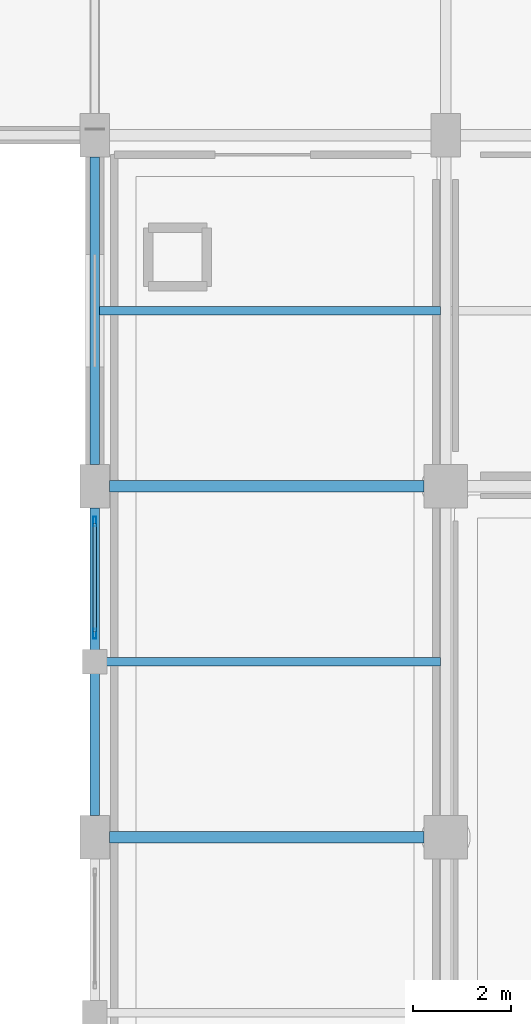
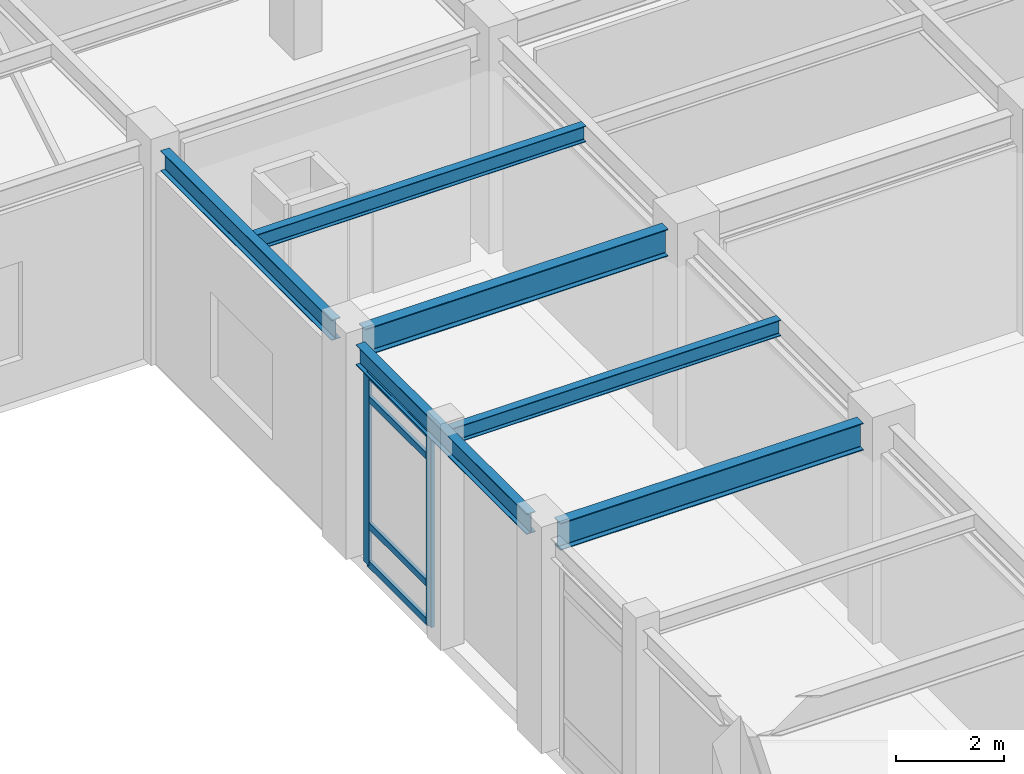
# One storey, part 23 of 117: 6 beams, 6 members, 1 element without a shape of its own.
"""IFC4 building model written with IfcOpenShell, lengths in metres."""

from ifc_helpers import new_model, si_unit, direction, frame, origin, origin_2d, place, context, subcontext, project, spatial, hollow_rectangle, i_section, extrude, material, layer, layer_set, material_profile, profile_set, type_object, element, aggregate, save


model = new_model("IFC4")

# Units and contexts
model_context = context("Model", 3, precision=1e-05, world=origin(), true_north=direction((0.0, 1.0)))
body_context = subcontext(model_context, "Body", "Model", "MODEL_VIEW")
ifc_project = project(units=[si_unit("LENGTHUNIT", "METRE"), si_unit("AREAUNIT", "SQUARE_METRE"), si_unit("VOLUMEUNIT", "CUBIC_METRE"), si_unit("PLANEANGLEUNIT", "RADIAN"), si_unit("MASSUNIT", "GRAM", prefix="KILO")], contexts=[model_context])

# Site, building, storey
site_placement = place(None, origin())
site = spatial("IfcSite", under=ifc_project, at=site_placement, CompositionType="ELEMENT")
building_placement = place(site_placement, origin())
building = spatial("IfcBuilding", under=site, at=building_placement, Name="Carrowvane Square Congress Hotel", CompositionType="ELEMENT")
storey_placement = place(building_placement, frame((0.0, 0.0, 5.39990234375)))
storey = spatial("IfcBuildingStorey", under=building, at=storey_placement, Name="L01", CompositionType="ELEMENT", Elevation=5.39990234375)

# Beams
ifc_material_1 = material(Name="Steel S355", Category="steel")
ifc_material_profile_1 = material_profile(ifc_material_1, i_section(OverallWidth=0.172119140625, OverallDepth=0.35791015625, WebThickness=0.008056640625, FlangeThickness=0.012939453125, FilletRadius=0.01025390625, at=origin_2d()), Name="UKB 356x171x57")
ifc_profile_set_1 = profile_set([ifc_material_profile_1], Name="Steel S355")
beam_type_1 = type_object("IfcBeamType", Name="BM-ST-UKB356", PredefinedType="JOIST", material=ifc_profile_set_1)
for number, where, z_axis, x_axis, name in (
    (1, (134.095703125, 45.0, 4.60107421875), (1.0, 0.0, 0.0), (0.0, 1.0, 0.0), "L02 secondary joist 18-19"),
    (2, (134.095703125, 52.199951171875, 4.60107421875), (1.0, 0.0, 0.0), (0.0, 1.0, 0.0), "L02 secondary joist 18-19"),
):
    element("IfcBeam", number, at=place(storey_placement, frame(where, z_axis=z_axis, x_axis=x_axis)), inside=storey, type_object=beam_type_1, Name=name, PredefinedType="JOIST", context=body_context, shape_type="SweptSolid", body=[
        extrude(i_section(OverallWidth=0.172119140625, OverallDepth=0.35791015625, WebThickness=0.008056640625, FlangeThickness=0.012939453125, FilletRadius=0.01025390625, at=origin_2d()), origin(), (0.0, 0.0, 1.0), 6.999267578125),
    ])
ifc_material_2 = material(Name="Steel S355", Category="steel")
ifc_material_profile_2 = material_profile(ifc_material_2, i_section(OverallWidth=0.19140625, OverallDepth=0.4599609375, WebThickness=0.010009765625, FlangeThickness=0.01611328125, FilletRadius=0.01025390625, at=origin_2d()), Name="UKB 457x191x82")
ifc_profile_set_2 = profile_set([ifc_material_profile_2], Name="Steel S355")
beam_type_2 = type_object("IfcBeamType", Name="BM-ST-UKB457", PredefinedType="SPANDREL", material=ifc_profile_set_2)
beam_1_placement = place(storey_placement, frame((134.0, 41.85009765625, 4.550048828125), z_axis=(0.0, 1.0, 0.0), x_axis=(-1.0, 0.0, 0.0)))
element("IfcBeam", 3, at=beam_1_placement, inside=storey, type_object=beam_type_2, Name="L02 girder 18/F-G", PredefinedType="SPANDREL", context=body_context, shape_type="SweptSolid", body=[
    extrude(i_section(OverallWidth=0.19140625, OverallDepth=0.4599609375, WebThickness=0.010009765625, FlangeThickness=0.01611328125, FilletRadius=0.01025390625, at=origin_2d()), origin(), (0.0, 0.0, 1.0), 6.2998046875),
])
beam_2_placement = place(storey_placement, frame((134.0, 49.050048828125, 4.550048828125), z_axis=(0.0, 1.0, 0.0), x_axis=(-1.0, 0.0, 0.0)))
element("IfcBeam", 4, at=beam_2_placement, inside=storey, type_object=beam_type_2, Name="L02 girder 18/G-H", PredefinedType="SPANDREL", context=body_context, shape_type="SweptSolid", body=[
    extrude(i_section(OverallWidth=0.19140625, OverallDepth=0.4599609375, WebThickness=0.010009765625, FlangeThickness=0.01611328125, FilletRadius=0.01025390625, at=origin_2d()), origin(), (0.0, 0.0, 1.0), 6.300048828125),
])
ifc_material_3 = material(Name="Steel S355", Category="steel")
ifc_material_profile_3 = material_profile(ifc_material_3, i_section(OverallWidth=0.22900390625, OverallDepth=0.6123046875, WebThickness=0.011962890625, FlangeThickness=0.01953125, FilletRadius=0.0126953125, at=origin_2d()), Name="UKB 610x229x125")
ifc_profile_set_3 = profile_set([ifc_material_profile_3], Name="Steel S355")
beam_type_3 = type_object("IfcBeamType", Name="BM-ST-UKB610A", PredefinedType="USERDEFINED", material=ifc_profile_set_3)
for number, where, z_axis, x_axis, name in (
    (5, (134.300048828125, 41.39990234375, 4.473876953125), (1.0, 0.0, 0.0), (0.0, 1.0, 0.0), "L02 girder F/18-19"),
    (6, (134.300048828125, 48.60009765625, 4.473876953125), (1.0, 0.0, 0.0), (0.0, 1.0, 0.0), "L02 girder G/18-19"),
):
    element("IfcBeam", number, at=place(storey_placement, frame(where, z_axis=z_axis, x_axis=x_axis)), inside=storey, type_object=beam_type_3, Name=name, ObjectType="GIRDER", PredefinedType="USERDEFINED", context=body_context, shape_type="SweptSolid", body=[
        extrude(i_section(OverallWidth=0.22900390625, OverallDepth=0.6123046875, WebThickness=0.011962890625, FlangeThickness=0.01953125, FilletRadius=0.0126953125, at=origin_2d()), origin(), (0.0, 0.0, 1.0), 6.449951171875),
    ])

# Curtain wall, members
ifc_material_4 = material(Name="Anodised aluminium", Category="aluminium")
ifc_layer = layer(ifc_material_4, 0.221923828125)
ifc_layer_set = layer_set([ifc_layer], Name="Anodised aluminium")
curtain_wall_type = type_object("IfcCurtainWallType", Name="CW-SYS-6", PredefinedType="NOTDEFINED", material=ifc_layer_set)
curtain_wall_placement = place(storey_placement, origin())
curtain_wall = element("IfcCurtainWall", 7, at=curtain_wall_placement, inside=storey, type_object=curtain_wall_type, Name="L01 unitised curtain wall 117", PredefinedType="NOTDEFINED")
ifc_material_5 = material(Name="Anodised aluminium", Category="aluminium")
ifc_material_profile_4 = material_profile(ifc_material_5, hollow_rectangle(XDim=0.070068359375, YDim=0.199951171875, WallThickness=0.0048828125, at=origin_2d()), Name="CW-ML 70x200x5")
ifc_profile_set_4 = profile_set([ifc_material_profile_4], Name="Anodised aluminium")
member_type_1 = type_object("IfcMemberType", Name="CW-MUL-2", PredefinedType="MULLION", material=ifc_profile_set_4)
member_1_placement = place(storey_placement, frame((134.0, 45.574951171875, 0.0), z_axis=(0.0, 0.0, 1.0), x_axis=(-1.0, 0.0, 0.0)))
member_1 = element("IfcMember", 8, at=member_1_placement, type_object=member_type_1, Name="CW-6 mullion 1", PredefinedType="MULLION", context=body_context, shape_type="SweptSolid", body=[
    extrude(hollow_rectangle(XDim=0.070068359375, YDim=0.199951171875, WallThickness=0.0048828125, at=origin_2d()), origin(), (0.0, 0.0, 1.0), 4.30517578125),
])
member_2_placement = place(storey_placement, frame((134.0, 47.875, 0.0), z_axis=(0.0, 0.0, 1.0), x_axis=(-1.0, 0.0, 0.0)))
member_2 = element("IfcMember", 9, at=member_2_placement, type_object=member_type_1, Name="CW-6 mullion 2", PredefinedType="MULLION", context=body_context, shape_type="SweptSolid", body=[
    extrude(hollow_rectangle(XDim=0.070068359375, YDim=0.199951171875, WallThickness=0.0048828125, at=origin_2d()), origin(), (0.0, 0.0, 1.0), 4.30517578125),
])
ifc_material_6 = material(Name="Anodised aluminium", Category="aluminium")
ifc_material_profile_5 = material_profile(ifc_material_6, hollow_rectangle(XDim=0.070068359375, YDim=0.14990234375, WallThickness=0.0048828125, at=origin_2d()), Name="CW-TR 70x150x5")
ifc_profile_set_5 = profile_set([ifc_material_profile_5], Name="Anodised aluminium")
member_type_2 = type_object("IfcMemberType", Name="CW-TRN-2", PredefinedType="USERDEFINED", material=ifc_profile_set_5)
member_3_placement = place(storey_placement, frame((134.0, 45.610107421875, 0.03515625), z_axis=(0.0, 1.0, 0.0), x_axis=(-1.0, 0.0, 0.0)))
member_3 = element("IfcMember", 10, at=member_3_placement, type_object=member_type_2, Name="CW-6 transom 1.1", ObjectType="TRANSOM", PredefinedType="USERDEFINED", context=body_context, shape_type="SweptSolid", body=[
    extrude(hollow_rectangle(XDim=0.070068359375, YDim=0.14990234375, WallThickness=0.0048828125, at=origin_2d()), origin(), (0.0, 0.0, 1.0), 2.22998046875),
])
member_4_placement = place(storey_placement, frame((134.0, 45.610107421875, 0.900146484375), z_axis=(0.0, 1.0, 0.0), x_axis=(-1.0, 0.0, 0.0)))
member_4 = element("IfcMember", 11, at=member_4_placement, type_object=member_type_2, Name="CW-6 transom 1.2", ObjectType="TRANSOM", PredefinedType="USERDEFINED", context=body_context, shape_type="SweptSolid", body=[
    extrude(hollow_rectangle(XDim=0.070068359375, YDim=0.14990234375, WallThickness=0.0048828125, at=origin_2d()), origin(), (0.0, 0.0, 1.0), 2.22998046875),
])
member_5_placement = place(storey_placement, frame((134.0, 45.610107421875, 3.755126953125), z_axis=(0.0, 1.0, 0.0), x_axis=(-1.0, 0.0, 0.0)))
member_5 = element("IfcMember", 12, at=member_5_placement, type_object=member_type_2, Name="CW-6 transom 1.3", ObjectType="TRANSOM", PredefinedType="USERDEFINED", context=body_context, shape_type="SweptSolid", body=[
    extrude(hollow_rectangle(XDim=0.070068359375, YDim=0.14990234375, WallThickness=0.0048828125, at=origin_2d()), origin(), (0.0, 0.0, 1.0), 2.22998046875),
])
member_6_placement = place(storey_placement, frame((134.0, 45.610107421875, 4.27001953125), z_axis=(0.0, 1.0, 0.0), x_axis=(-1.0, 0.0, 0.0)))
member_6 = element("IfcMember", 13, at=member_6_placement, type_object=member_type_2, Name="CW-6 transom 1.4", ObjectType="TRANSOM", PredefinedType="USERDEFINED", context=body_context, shape_type="SweptSolid", body=[
    extrude(hollow_rectangle(XDim=0.070068359375, YDim=0.14990234375, WallThickness=0.0048828125, at=origin_2d()), origin(), (0.0, 0.0, 1.0), 2.22998046875),
])
aggregate(curtain_wall, [member_1, member_2, member_3, member_4, member_5, member_6])

save(model, "model.ifc")
